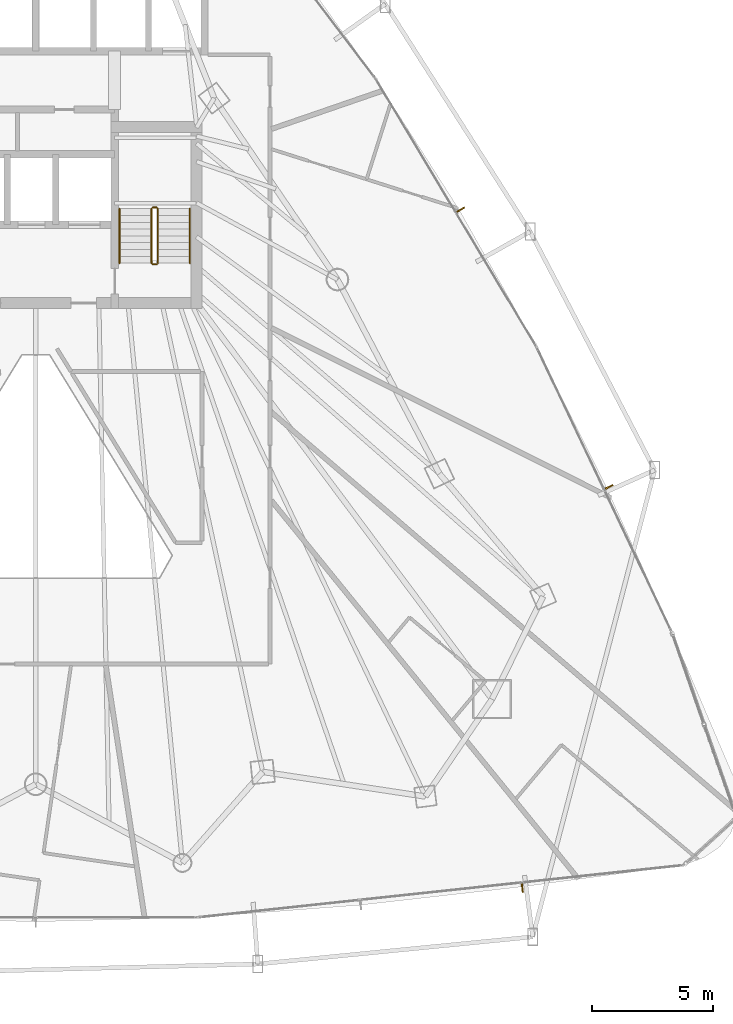
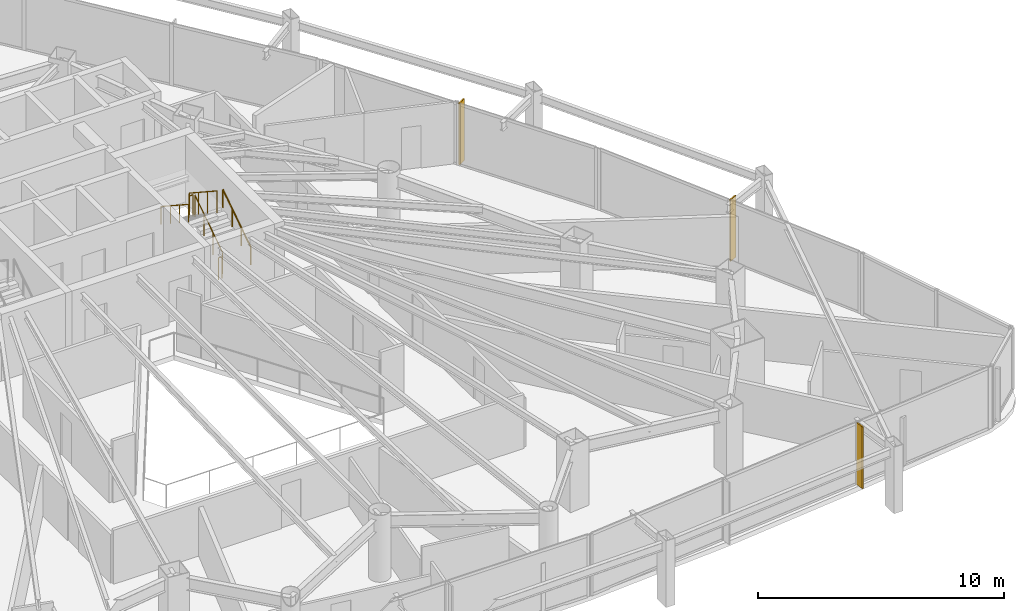
# One storey, part 34 of 35: 6 railings, 3 shading devices.
"""IFC4 building model written with IfcOpenShell, lengths in metres."""

from ifc_helpers import new_model, si_unit, direction, frame, origin, origin_2d, place, context, subcontext, project, spatial, rectangle, circle, extrude, material, layer, layer_set, type_object, element, save


model = new_model("IFC4")

# Units and contexts
model_context = context("Model", 3, precision=1e-05, world=origin(), true_north=direction((0.0, 1.0)))
body_context = subcontext(model_context, "Body", "Model", "MODEL_VIEW")
ifc_project = project(units=[si_unit("LENGTHUNIT", "METRE"), si_unit("AREAUNIT", "SQUARE_METRE"), si_unit("VOLUMEUNIT", "CUBIC_METRE"), si_unit("PLANEANGLEUNIT", "RADIAN"), si_unit("MASSUNIT", "GRAM", prefix="KILO")], contexts=[model_context])

# Site, building, storey
site_placement = place(None, origin())
site = spatial("IfcSite", under=ifc_project, at=site_placement, CompositionType="ELEMENT")
building_placement = place(site_placement, origin())
building = spatial("IfcBuilding", under=site, at=building_placement, Name="Orvanel Arch Residences", CompositionType="ELEMENT")
storey_placement = place(building_placement, frame((0.0, 0.0, 33.5)))
storey = spatial("IfcBuildingStorey", under=building, at=storey_placement, Name="L08", CompositionType="ELEMENT", Elevation=33.5)

# Shading devices
ifc_material_1 = material(Name="Bronze-anodised aluminium AA6063-T6", Category="aluminium")
ifc_layer = layer(ifc_material_1, 0.06005859375)
ifc_layer_set = layer_set([ifc_layer], Name="Bronze-anodised aluminium AA6063-T6")
shading_device_type = type_object("IfcShadingDeviceType", Name="FIN-BRZ-380", PredefinedType="USERDEFINED", material=ifc_layer_set)
for number, where, z_axis, x_axis, name in (
    (1, (53.050048828125, 2.575927734375, 0.0), (0.0, 0.0, 1.0), (0.106264071336, -0.994337944133, 0.0), "L08 Anodised Bronze Mullion FIN 02"),
    (2, (56.616943359375, 19.090087890625, 0.0), (0.0, 0.0, 1.0), (0.903335292863, 0.428935133403, 0.0), "L08 Anodised Bronze Mullion FIN 01"),
    (3, (50.5009765625, 30.514892578125, 0.0), (0.0, 0.0, 1.0), (0.857167300702, 0.51503807491, 0.0), "L08 Anodised Bronze Mullion FIN 01"),
):
    element("IfcShadingDevice", number, at=place(storey_placement, frame(where, z_axis=z_axis, x_axis=x_axis)), inside=storey, type_object=shading_device_type, Name=name, ObjectType="FIN", PredefinedType="USERDEFINED", context=body_context, shape_type="SweptSolid", body=[
        extrude(rectangle(XDim=0.3798828125, YDim=0.06005859375, at=origin_2d()), origin(), (0.0, 0.0, 1.0), 3.06005859375),
    ])

# Railings
ifc_material_2 = material(Name="Structural steel AS/NZS 1163 C350L0 (Grade 350)", Category="steel")
railing_type_1 = type_object("IfcRailingType", Name="RL-STAIR-GUARD", PredefinedType="GUARDRAIL", material=ifc_material_2)
railing_1_placement = place(storey_placement, frame((38.030029296875, 28.320068359375, 0.183349609375)))
element("IfcRailing", 4, at=railing_1_placement, inside=storey, type_object=railing_type_1, Name="L08 ST-2 stair guard 1", PredefinedType="GUARDRAIL", context=body_context, shape_type="SweptSolid", body=[
    extrude(circle(Radius=0.02392578125, at=origin_2d()), frame((0.0, 0.001220703125, 1.076904296875), z_axis=(0.0, 0.836636935527, 0.547757827979), x_axis=(-1.0, 0.0, 0.0)), (0.0, 0.0, 1.0), 2.67431640625),
    extrude(circle(Radius=0.02099609375, at=origin_2d()), origin(), (0.0, 0.0, 1.0), 1.050048828125),
    extrude(circle(Radius=0.02099609375, at=origin_2d()), frame((0.0, 0.74658203125, 0.48876953125)), (0.0, 0.0, 1.0), 1.050048828125),
    extrude(circle(Radius=0.02099609375, at=origin_2d()), frame((0.0, 1.493408203125, 0.977783203125)), (0.0, 0.0, 1.0), 1.050048828125),
    extrude(circle(Radius=0.02099609375, at=origin_2d()), frame((0.0, 2.239990234375, 1.466552734375)), (0.0, 0.0, 1.0), 1.050048828125),
])
railing_2_placement = place(storey_placement, frame((37.97998046875, 30.610107421875, 1.64990234375)))
element("IfcRailing", 5, at=railing_2_placement, inside=storey, type_object=railing_type_1, Name="L08 ST-2 stair guard 2", PredefinedType="GUARDRAIL", context=body_context, shape_type="SweptSolid", body=[
    extrude(circle(Radius=0.02392578125, at=origin_2d()), frame((-0.00146484375, 0.0, 1.076171875), z_axis=(-1.0, 0.0, 0.0), x_axis=(0.0, -1.0, 0.0)), (0.0, 0.0, 1.0), 0.156982421875),
    extrude(circle(Radius=0.02099609375, at=origin_2d()), origin(), (0.0, 0.0, 1.0), 1.050048828125),
    extrude(circle(Radius=0.02099609375, at=origin_2d()), frame((-0.159912109375, 0.0, 0.0)), (0.0, 0.0, 1.0), 1.050048828125),
])
railing_3_placement = place(storey_placement, frame((37.77001953125, 30.56005859375, 1.833251953125)))
element("IfcRailing", 6, at=railing_3_placement, inside=storey, type_object=railing_type_1, Name="L08 ST-2 stair guard 3", PredefinedType="GUARDRAIL", context=body_context, shape_type="SweptSolid", body=[
    extrude(circle(Radius=0.02392578125, at=origin_2d()), frame((0.0, -0.001220703125, 1.076904296875), z_axis=(0.0, -0.836595146698, 0.547821650285), x_axis=(1.0, 0.0, 0.0)), (0.0, 0.0, 1.0), 2.674560546875),
    extrude(circle(Radius=0.02099609375, at=origin_2d()), origin(), (0.0, 0.0, 1.0), 1.050048828125),
    extrude(circle(Radius=0.02099609375, at=origin_2d()), frame((0.0, -0.74658203125, 0.489013671875)), (0.0, 0.0, 1.0), 1.050048828125),
    extrude(circle(Radius=0.02099609375, at=origin_2d()), frame((0.0, -1.493408203125, 0.977783203125)), (0.0, 0.0, 1.0), 1.050048828125),
    extrude(circle(Radius=0.02099609375, at=origin_2d()), frame((0.0, -2.239990234375, 1.466796875)), (0.0, 0.0, 1.0), 1.050048828125),
])
railing_4_placement = place(storey_placement, frame((37.97998046875, 28.27001953125, 0.0)))
element("IfcRailing", 7, at=railing_4_placement, inside=storey, type_object=railing_type_1, Name="L08 ST-2 stair guard 4", PredefinedType="GUARDRAIL", context=body_context, shape_type="SweptSolid", body=[
    extrude(circle(Radius=0.02392578125, at=origin_2d()), frame((-0.00146484375, 0.0, 1.076171875), z_axis=(-1.0, 0.0, 0.0), x_axis=(0.0, -1.0, 0.0)), (0.0, 0.0, 1.0), 0.156982421875),
    extrude(circle(Radius=0.02099609375, at=origin_2d()), origin(), (0.0, 0.0, 1.0), 1.050048828125),
    extrude(circle(Radius=0.02099609375, at=origin_2d()), frame((-0.159912109375, 0.0, 0.0)), (0.0, 0.0, 1.0), 1.050048828125),
])
railing_type_2 = type_object("IfcRailingType", Name="RL-STAIR-HAND", PredefinedType="HANDRAIL", material=ifc_material_2)
railing_5_placement = place(storey_placement, frame((39.35009765625, 28.320068359375, 0.183349609375)))
element("IfcRailing", 8, at=railing_5_placement, inside=storey, type_object=railing_type_2, Name="L08 ST-2 stair handrail 1", PredefinedType="HANDRAIL", context=body_context, shape_type="SweptSolid", body=[
    extrude(circle(Radius=0.02392578125, at=origin_2d()), frame((0.0, 0.001220703125, 0.876708984375), z_axis=(0.0, 0.836636935527, 0.547757827979), x_axis=(-1.0, 0.0, 0.0)), (0.0, 0.0, 1.0), 2.67431640625),
    extrude(circle(Radius=0.02099609375, at=origin_2d()), origin(), (0.0, 0.0, 1.0), 0.849853515625),
    extrude(circle(Radius=0.02099609375, at=origin_2d()), frame((0.0, 0.74658203125, 0.48876953125)), (0.0, 0.0, 1.0), 0.849853515625),
    extrude(circle(Radius=0.02099609375, at=origin_2d()), frame((0.0, 1.493408203125, 0.977783203125)), (0.0, 0.0, 1.0), 0.849853515625),
    extrude(circle(Radius=0.02099609375, at=origin_2d()), frame((0.0, 2.239990234375, 1.466552734375)), (0.0, 0.0, 1.0), 0.849853515625),
])
railing_6_placement = place(storey_placement, frame((36.449951171875, 30.56005859375, 1.833251953125)))
element("IfcRailing", 9, at=railing_6_placement, inside=storey, type_object=railing_type_2, Name="L08 ST-2 stair handrail 2", PredefinedType="HANDRAIL", context=body_context, shape_type="SweptSolid", body=[
    extrude(circle(Radius=0.02392578125, at=origin_2d()), frame((0.0, -0.001220703125, 0.876708984375), z_axis=(0.0, -0.836595146698, 0.547821650285), x_axis=(1.0, 0.0, 0.0)), (0.0, 0.0, 1.0), 2.674560546875),
    extrude(circle(Radius=0.02099609375, at=origin_2d()), origin(), (0.0, 0.0, 1.0), 0.849853515625),
    extrude(circle(Radius=0.02099609375, at=origin_2d()), frame((0.0, -0.74658203125, 0.489013671875)), (0.0, 0.0, 1.0), 0.849853515625),
    extrude(circle(Radius=0.02099609375, at=origin_2d()), frame((0.0, -1.493408203125, 0.977783203125)), (0.0, 0.0, 1.0), 0.849853515625),
    extrude(circle(Radius=0.02099609375, at=origin_2d()), frame((0.0, -2.239990234375, 1.466796875)), (0.0, 0.0, 1.0), 0.849853515625),
])

save(model, "model.ifc")
